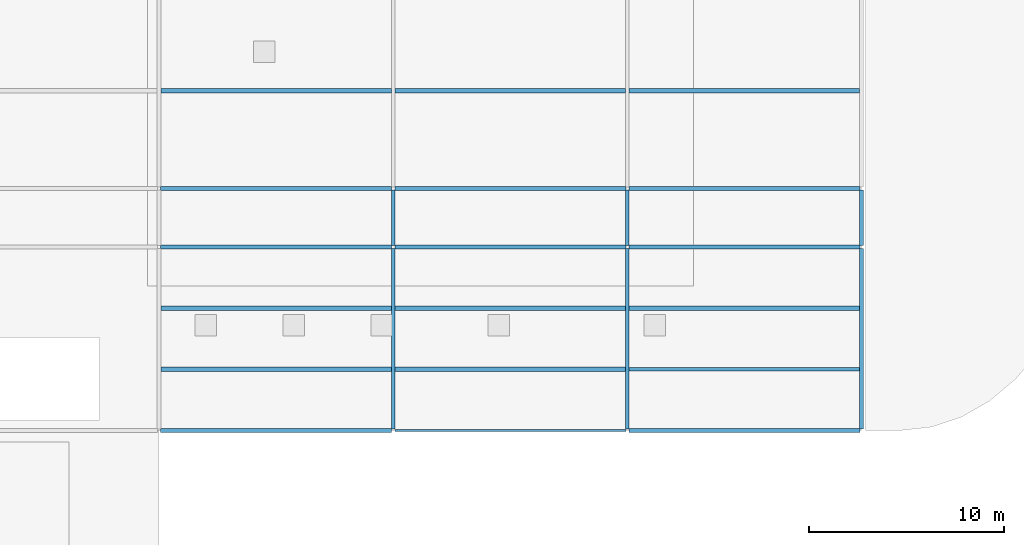
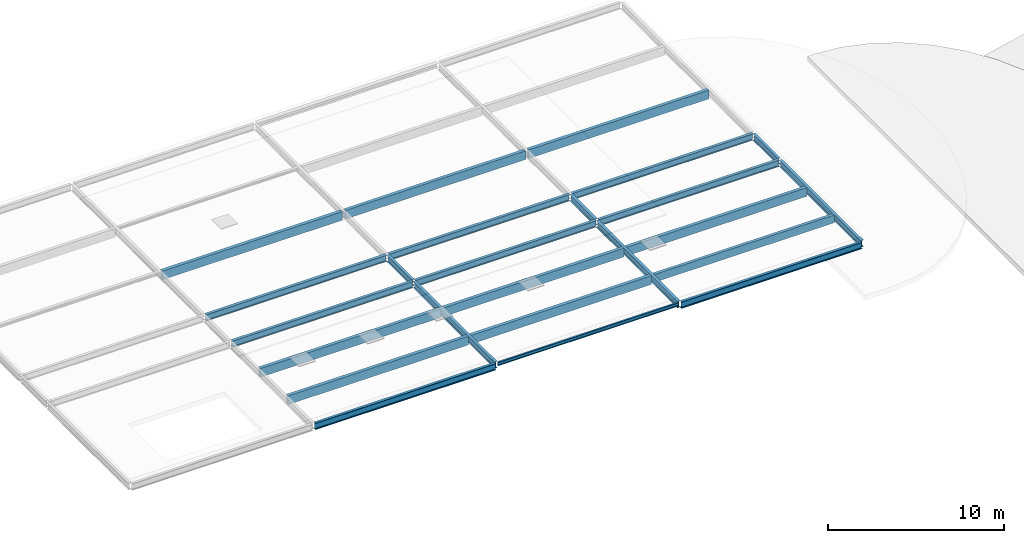
# One storey, part 69 of 80: 24 beams.
"""IFC4 building model written with IfcOpenShell, lengths in metres."""

from ifc_helpers import new_model, si_unit, direction, frame, origin, origin_2d, place, context, subcontext, project, spatial, rectangle, i_section, extrude, material, material_profile, profile_set, type_object, element, save


model = new_model("IFC4")

# Units and contexts
model_context = context("Model", 3, precision=1e-05, world=origin(), true_north=direction((0.0, 1.0)))
body_context = subcontext(model_context, "Body", "Model", "MODEL_VIEW")
ifc_project = project(units=[si_unit("LENGTHUNIT", "METRE"), si_unit("AREAUNIT", "SQUARE_METRE"), si_unit("VOLUMEUNIT", "CUBIC_METRE"), si_unit("PLANEANGLEUNIT", "RADIAN"), si_unit("MASSUNIT", "GRAM", prefix="KILO"), si_unit("THERMODYNAMICTEMPERATUREUNIT", "KELVIN"), si_unit("POWERUNIT", "WATT")], contexts=[model_context])

# Site, building, storey
site_placement = place(None, origin())
site = spatial("IfcSite", under=ifc_project, at=site_placement, CompositionType="ELEMENT")
building_placement = place(site_placement, origin())
building = spatial("IfcBuilding", under=site, at=building_placement, Name="Solmara Park Aquatics Centre", CompositionType="ELEMENT")
storey_placement = place(building_placement, frame((0.0, 0.0, 22.800048828125)))
storey = spatial("IfcBuildingStorey", under=building, at=storey_placement, Name="RF", CompositionType="ELEMENT", Elevation=22.800048828125)

# Beams
ifc_material_1 = material(Name="Structural Steel S355", Category="steel")
ifc_material_profile_1 = material_profile(ifc_material_1, i_section(OverallWidth=0.18994140625, OverallDepth=0.449951171875, WebThickness=0.009521484375, FlangeThickness=0.0146484375, FilletRadius=0.02099609375, at=origin_2d()), Name="IPE 450")
ifc_profile_set_1 = profile_set([ifc_material_profile_1], Name="Structural Steel S355")
beam_type_1 = type_object("IfcBeamType", Name="STR-BM-IPE450", PredefinedType="BEAM", material=ifc_profile_set_1)
for number, where, z_axis, x_axis, name in (
    (1, (60.679931640625, 108.60009765625, -0.545166015625), (1.0, 0.0, 0.0), (0.0, 1.0, 0.0), "Girder BM-RF-0563"),
    (2, (84.679931640625, 108.60009765625, -0.545166015625), (1.0, 0.0, 0.0), (0.0, 1.0, 0.0), "Girder BM-RF-0565"),
    (3, (60.679931640625, 118.0, -0.545166015625), (1.0, 0.0, 0.0), (0.0, 1.0, 0.0), "Girder BM-RF-0567"),
    (4, (72.679931640625, 118.0, -0.545166015625), (1.0, 0.0, 0.0), (0.0, 1.0, 0.0), "Girder BM-RF-0568"),
    (5, (84.679931640625, 118.0, -0.545166015625), (1.0, 0.0, 0.0), (0.0, 1.0, 0.0), "Girder BM-RF-0569"),
    (6, (60.679931640625, 121.0, -0.545166015625), (1.0, 0.0, 0.0), (0.0, 1.0, 0.0), "Girder BM-RF-0571"),
    (7, (72.679931640625, 121.0, -0.545166015625), (1.0, 0.0, 0.0), (0.0, 1.0, 0.0), "Girder BM-RF-0572"),
    (8, (84.679931640625, 121.0, -0.545166015625), (1.0, 0.0, 0.0), (0.0, 1.0, 0.0), "Girder BM-RF-0573"),
):
    element("IfcBeam", number, at=place(storey_placement, frame(where, z_axis=z_axis, x_axis=x_axis)), inside=storey, type_object=beam_type_1, Name=name, PredefinedType="BEAM", context=body_context, shape_type="SweptSolid", body=[
        extrude(i_section(OverallWidth=0.18994140625, OverallDepth=0.449951171875, WebThickness=0.009521484375, FlangeThickness=0.0146484375, FilletRadius=0.02099609375, at=origin_2d()), origin(), (0.0, 0.0, 1.0), 11.840087890625),
    ])
beam_1_placement = place(storey_placement, frame((72.60009765625, 108.679931640625, -0.545166015625), z_axis=(0.0, 1.0, 0.0), x_axis=(-1.0, 0.0, 0.0)))
element("IfcBeam", 9, at=beam_1_placement, inside=storey, type_object=beam_type_1, Name="Girder BM-RF-0584", PredefinedType="BEAM", context=body_context, shape_type="SweptSolid", body=[
    extrude(i_section(OverallWidth=0.18994140625, OverallDepth=0.449951171875, WebThickness=0.009521484375, FlangeThickness=0.0146484375, FilletRadius=0.02099609375, at=origin_2d()), origin(), (0.0, 0.0, 1.0), 9.239990234375),
])
beam_2_placement = place(storey_placement, frame((72.60009765625, 118.080078125, -0.545166015625), z_axis=(0.0, 1.0, 0.0), x_axis=(-1.0, 0.0, 0.0)))
element("IfcBeam", 10, at=beam_2_placement, inside=storey, type_object=beam_type_1, Name="Girder BM-RF-0585", PredefinedType="BEAM", context=body_context, shape_type="SweptSolid", body=[
    extrude(i_section(OverallWidth=0.18994140625, OverallDepth=0.449951171875, WebThickness=0.009521484375, FlangeThickness=0.0146484375, FilletRadius=0.02099609375, at=origin_2d()), origin(), (0.0, 0.0, 1.0), 2.83984375),
])
beam_3_placement = place(storey_placement, frame((84.60009765625, 108.679931640625, -0.545166015625), z_axis=(0.0, 1.0, 0.0), x_axis=(-1.0, 0.0, 0.0)))
element("IfcBeam", 11, at=beam_3_placement, inside=storey, type_object=beam_type_1, Name="Girder BM-RF-0587", PredefinedType="BEAM", context=body_context, shape_type="SweptSolid", body=[
    extrude(i_section(OverallWidth=0.18994140625, OverallDepth=0.449951171875, WebThickness=0.009521484375, FlangeThickness=0.0146484375, FilletRadius=0.02099609375, at=origin_2d()), origin(), (0.0, 0.0, 1.0), 9.239990234375),
])
beam_4_placement = place(storey_placement, frame((84.60009765625, 118.080078125, -0.545166015625), z_axis=(0.0, 1.0, 0.0), x_axis=(-1.0, 0.0, 0.0)))
element("IfcBeam", 12, at=beam_4_placement, inside=storey, type_object=beam_type_1, Name="Girder BM-RF-0588", PredefinedType="BEAM", context=body_context, shape_type="SweptSolid", body=[
    extrude(i_section(OverallWidth=0.18994140625, OverallDepth=0.449951171875, WebThickness=0.009521484375, FlangeThickness=0.0146484375, FilletRadius=0.02099609375, at=origin_2d()), origin(), (0.0, 0.0, 1.0), 2.83984375),
])
beam_5_placement = place(storey_placement, frame((96.60009765625, 108.679931640625, -0.545166015625), z_axis=(0.0, 1.0, 0.0), x_axis=(-1.0, 0.0, 0.0)))
element("IfcBeam", 13, at=beam_5_placement, inside=storey, type_object=beam_type_1, Name="Girder BM-RF-0590", PredefinedType="BEAM", context=body_context, shape_type="SweptSolid", body=[
    extrude(i_section(OverallWidth=0.18994140625, OverallDepth=0.449951171875, WebThickness=0.009521484375, FlangeThickness=0.0146484375, FilletRadius=0.02099609375, at=origin_2d()), origin(), (0.0, 0.0, 1.0), 9.239990234375),
])
beam_6_placement = place(storey_placement, frame((96.60009765625, 118.080078125, -0.545166015625), z_axis=(0.0, 1.0, 0.0), x_axis=(-1.0, 0.0, 0.0)))
element("IfcBeam", 14, at=beam_6_placement, inside=storey, type_object=beam_type_1, Name="Girder BM-RF-0591", PredefinedType="BEAM", context=body_context, shape_type="SweptSolid", body=[
    extrude(i_section(OverallWidth=0.18994140625, OverallDepth=0.449951171875, WebThickness=0.009521484375, FlangeThickness=0.0146484375, FilletRadius=0.02099609375, at=origin_2d()), origin(), (0.0, 0.0, 1.0), 2.83984375),
])
ifc_material_2 = material(Name="Glulam Timber GL28h", Category="wood")
ifc_material_profile_2 = material_profile(ifc_material_2, rectangle(XDim=0.199951171875, YDim=0.5400390625, at=origin_2d()), Name="GL28h 200x540")
ifc_profile_set_2 = profile_set([ifc_material_profile_2], Name="Glulam Timber GL28h")
beam_type_2 = type_object("IfcBeamType", Name="STR-JST-GL200x540", PredefinedType="JOIST", material=ifc_profile_set_2)
beam_7_placement = place(storey_placement, frame((84.695068359375, 111.7333984375, -0.590087890625), z_axis=(1.0, 0.0, 0.0), x_axis=(0.0, 1.0, 0.0)))
element("IfcBeam", 15, at=beam_7_placement, inside=storey, type_object=beam_type_2, Name="Floor Joist JST-RF-0324", PredefinedType="JOIST", context=body_context, shape_type="SweptSolid", body=[
    extrude(rectangle(XDim=0.199951171875, YDim=0.5400390625, at=origin_2d()), origin(), (0.0, 0.0, 1.0), 11.809814453125),
])
ifc_material_profile_3 = material_profile(ifc_material_2, rectangle(XDim=0.219970703125, YDim=0.60009765625, at=origin_2d()), Name="GL28h 220x600")
ifc_profile_set_3 = profile_set([ifc_material_profile_3], Name="Glulam Timber GL28h")
beam_type_3 = type_object("IfcBeamType", Name="STR-JST-GL220x600", PredefinedType="JOIST", material=ifc_profile_set_3)
for number, where, z_axis, x_axis, name in (
    (16, (60.695068359375, 111.7333984375, -0.6201171875), (1.0, 0.0, 0.0), (0.0, 1.0, 0.0), "Floor Joist JST-RF-0316"),
    (17, (60.695068359375, 114.86669921875, -0.6201171875), (1.0, 0.0, 0.0), (0.0, 1.0, 0.0), "Floor Joist JST-RF-0317"),
    (18, (60.695068359375, 126.0, -0.6201171875), (1.0, 0.0, 0.0), (0.0, 1.0, 0.0), "Floor Joist JST-RF-0318"),
    (19, (72.695068359375, 111.7333984375, -0.6201171875), (1.0, 0.0, 0.0), (0.0, 1.0, 0.0), "Floor Joist JST-RF-0320"),
    (20, (72.695068359375, 114.86669921875, -0.6201171875), (1.0, 0.0, 0.0), (0.0, 1.0, 0.0), "Floor Joist JST-RF-0321"),
    (21, (72.695068359375, 126.0, -0.6201171875), (1.0, 0.0, 0.0), (0.0, 1.0, 0.0), "Floor Joist JST-RF-0322"),
    (22, (84.695068359375, 114.86669921875, -0.6201171875), (1.0, 0.0, 0.0), (0.0, 1.0, 0.0), "Floor Joist JST-RF-0325"),
    (23, (84.695068359375, 126.0, -0.6201171875), (1.0, 0.0, 0.0), (0.0, 1.0, 0.0), "Floor Joist JST-RF-0326"),
):
    element("IfcBeam", number, at=place(storey_placement, frame(where, z_axis=z_axis, x_axis=x_axis)), inside=storey, type_object=beam_type_3, Name=name, PredefinedType="JOIST", context=body_context, shape_type="SweptSolid", body=[
        extrude(rectangle(XDim=0.219970703125, YDim=0.60009765625, at=origin_2d()), origin(), (0.0, 0.0, 1.0), 11.809814453125),
    ])
ifc_material_profile_4 = material_profile(ifc_material_1, i_section(OverallWidth=0.1201171875, OverallDepth=0.239990234375, WebThickness=0.006103515625, FlangeThickness=0.009765625, FilletRadius=0.014892578125, at=origin_2d()), Name="IPE 240")
ifc_profile_set_4 = profile_set([ifc_material_profile_4], Name="Structural Steel S355")
beam_type_4 = type_object("IfcBeamType", Name="STR-SPD-IPE240", PredefinedType="SPANDREL", material=ifc_profile_set_4)
beam_8_placement = place(storey_placement, frame((72.679931640625, 108.60009765625, -0.43994140625), z_axis=(1.0, 0.0, 0.0), x_axis=(0.0, 1.0, 0.0)))
element("IfcBeam", 24, at=beam_8_placement, inside=storey, type_object=beam_type_4, Name="Girder BM-RF-0564", PredefinedType="SPANDREL", context=body_context, shape_type="SweptSolid", body=[
    extrude(i_section(OverallWidth=0.1201171875, OverallDepth=0.239990234375, WebThickness=0.006103515625, FlangeThickness=0.009765625, FilletRadius=0.014892578125, at=origin_2d()), origin(), (0.0, 0.0, 1.0), 11.840087890625),
])

save(model, "model.ifc")
